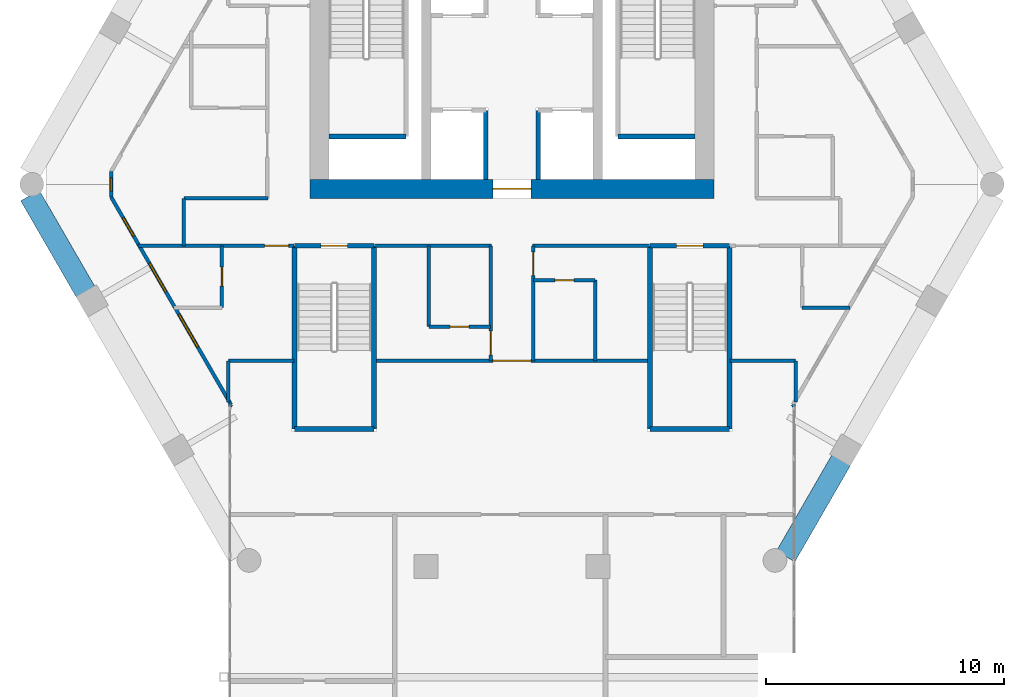
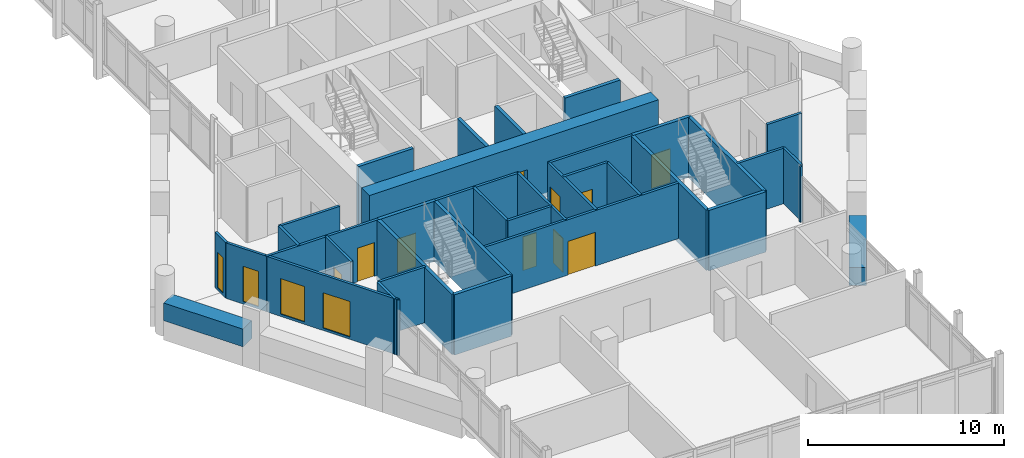
# One storey, part 25 of 29: 37 walls, 10 doors, 4 windows, 14 openings.
"""IFC4 building model written with IfcOpenShell, lengths in metres."""

from ifc_helpers import new_model, si_unit, direction, frame, frame_2d, origin, place, context, subcontext, project, spatial, rectangle, extrude, material, layer, layer_set, type_object, element, fill, save


model = new_model("IFC4")

# Units and contexts
model_context = context("Model", 3, precision=1e-05, world=origin(), true_north=direction((0.0, 1.0)))
body_context = subcontext(model_context, "Body", "Model", "MODEL_VIEW")
ifc_project = project(units=[si_unit("LENGTHUNIT", "METRE"), si_unit("AREAUNIT", "SQUARE_METRE"), si_unit("VOLUMEUNIT", "CUBIC_METRE"), si_unit("PLANEANGLEUNIT", "RADIAN"), si_unit("MASSUNIT", "GRAM", prefix="KILO")], contexts=[model_context])

# Site, building, storey
site_placement = place(None, origin())
site = spatial("IfcSite", under=ifc_project, at=site_placement, CompositionType="ELEMENT")
building_placement = place(site_placement, origin())
building = spatial("IfcBuilding", under=site, at=building_placement, Name="Ostrander Bayou Hotel Tower", CompositionType="ELEMENT")
storey_placement = place(building_placement, frame((0.0, 0.0, 205.75)))
storey = spatial("IfcBuildingStorey", under=building, at=storey_placement, Name="L51", CompositionType="ELEMENT", Elevation=205.75)

# Wall, opening, door
ifc_material_1 = material(Name="Concrete f'c 60 MPa", Category="concrete")
ifc_layer_1 = layer(ifc_material_1, 0.800048828125)
ifc_layer_set_1 = layer_set([ifc_layer_1], Name="CW7 core wall 800 mm f'c 60 MPa")
wall_type_1 = type_object("IfcWallType", Name="CW7 core wall 800 mm f'c 60 MPa", PredefinedType="SHEAR", material=ifc_layer_set_1)
wall_1_placement = place(storey_placement, frame((-8.5, -1.300048828125, -0.300048828125), z_axis=(0.0, 0.0, 1.0), x_axis=(1.0, 0.0, 0.0)))
wall_1 = element("IfcWall", 1, at=wall_1_placement, inside=storey, type_object=wall_type_1, Name="CW7 L51 S", PredefinedType="SHEAR", context=body_context, shape_type="SweptSolid", body=[
    extrude(rectangle(XDim=17.0, YDim=0.800048828125, at=frame_2d((8.5, 0.0))), origin(), (0.0, 0.0, 1.0), 3.75),
])
opening_1_placement = place(wall_1_placement, frame((7.699951171875, 0.0, 0.0)))
opening_1 = element("IfcOpeningElement", 2, at=opening_1_placement, cuts=wall_1, Name="Opening T50-005", PredefinedType="OPENING", context=body_context, shape_type="SweptSolid", body=[
    extrude(rectangle(XDim=1.60009765625, YDim=2.10009765625, at=frame_2d((0.800048828125, 1.050048828125))), frame((0.0, 0.39990234375, 0.0), z_axis=(0.0, -1.0, 0.0), x_axis=(1.0, 0.0, 0.0)), (0.0, 0.0, 1.0), 0.800048828125),
])
ifc_material_2 = material(Name="Timber door leaf", Category="wood")
door_type_1 = type_object("IfcDoorType", Name="D13 double door 1600 x 2100 mm, 1 hour", OperationType="SINGLE_SWING_LEFT", PredefinedType="DOOR", material=ifc_material_2)
door_1_placement = place(opening_1_placement, origin())
door_1 = element("IfcDoor", 3, at=door_1_placement, inside=storey, type_object=door_type_1, Name="dr:L51:005", OperationType="DOUBLE_DOOR_SINGLE_SWING", OverallHeight=2.10009765625, OverallWidth=1.60009765625, PredefinedType="DOOR", context=body_context, shape_type="SweptSolid", body=[
    extrude(rectangle(XDim=1.60009765625, YDim=2.10009765625, at=frame_2d((0.800048828125, 1.050048828125))), frame((0.0, 0.02490234375, 0.0), z_axis=(0.0, -1.0, 0.0), x_axis=(1.0, 0.0, 0.0)), (0.0, 0.0, 1.0), 0.050048828125),
])
fill(opening_1, door_1)

# Wall, openings, windows
ifc_material_3 = material(Name="Aluminium framed insulated wall", Category="aluminium")
ifc_layer_2 = layer(ifc_material_3, 0.14990234375)
ifc_layer_set_2 = layer_set([ifc_layer_2], Name="GW1 glass-line wall 150 mm")
wall_type_2 = type_object("IfcWallType", Name="GW1 glass-line wall 150 mm", PredefinedType="SOLIDWALL", material=ifc_layer_set_2)
wall_2_placement = place(storey_placement, frame((-16.861328125, -1.645263671875, 0.0), z_axis=(0.0, 0.0, 1.0), x_axis=(0.499993749393, -0.866029012544, 0.0)))
wall_2 = element("IfcWall", 4, at=wall_2_placement, inside=storey, type_object=wall_type_2, Name="GW1 L51 SW 1", PredefinedType="SOLIDWALL", context=body_context, shape_type="SweptSolid", body=[
    extrude(rectangle(XDim=10.074951171875, YDim=0.14990234375, at=frame_2d((5.03759765625, 0.0))), origin(), (0.0, 0.0, 1.0), 3.449951171875),
])
opening_2_placement = place(wall_2_placement, frame((1.005859375, 0.0, 0.14990234375)))
opening_2 = element("IfcOpeningElement", 5, at=opening_2_placement, cuts=wall_2, Name="Opening W17", PredefinedType="OPENING", context=body_context, shape_type="SweptSolid", body=[
    extrude(rectangle(XDim=0.89990234375, YDim=2.199951171875, at=frame_2d((0.449951171875, 1.10009765625))), frame((0.0, 0.074951171875, 0.0), z_axis=(0.0, -1.0, 0.0), x_axis=(1.0, 0.0, 0.0)), (0.0, 0.0, 1.0), 0.14990234375),
])
opening_3_placement = place(wall_2_placement, frame((3.205810546875, 0.0, 0.14990234375)))
opening_3 = element("IfcOpeningElement", 6, at=opening_3_placement, cuts=wall_2, Name="Opening W13", PredefinedType="OPENING", context=body_context, shape_type="SweptSolid", body=[
    extrude(rectangle(XDim=1.39990234375, YDim=2.199951171875, at=frame_2d((0.699951171875, 1.10009765625))), frame((0.0, 0.074951171875, 0.0), z_axis=(0.0, -1.0, 0.0), x_axis=(1.0, 0.0, 0.0)), (0.0, 0.0, 1.0), 0.14990234375),
])
opening_4_placement = place(wall_2_placement, frame((5.69873046875, 0.0, 0.14990234375)))
opening_4 = element("IfcOpeningElement", 7, at=opening_4_placement, cuts=wall_2, Name="Opening W9", PredefinedType="OPENING", context=body_context, shape_type="SweptSolid", body=[
    extrude(rectangle(XDim=1.60009765625, YDim=2.199951171875, at=frame_2d((0.800048828125, 1.10009765625))), frame((0.0, 0.074951171875, 0.0), z_axis=(0.0, -1.0, 0.0), x_axis=(1.0, 0.0, 0.0)), (0.0, 0.0, 1.0), 0.14990234375),
])
ifc_material_4 = material(Name="Aluminium and clear glass", Category="aluminium")
window_type_1 = type_object("IfcWindowType", Name="W13 fixed window 1400 mm, bath bay, zone 3", PartitioningType="SINGLE_PANEL", PredefinedType="WINDOW", material=ifc_material_4)
window_1_placement = place(opening_3_placement, origin())
window_1 = element("IfcWindow", 8, at=window_1_placement, inside=storey, type_object=window_type_1, Name="W13 L51 SW 1", OverallHeight=2.199951171875, OverallWidth=1.39990234375, PartitioningType="SINGLE_PANEL", PredefinedType="WINDOW", context=body_context, shape_type="SweptSolid", body=[
    extrude(rectangle(XDim=1.39990234375, YDim=2.199951171875, at=frame_2d((0.699951171875, 1.10009765625))), frame((0.0, 0.030029296875, 0.0), z_axis=(0.0, -1.0, 0.0), x_axis=(1.0, 0.0, 0.0)), (0.0, 0.0, 1.0), 0.06005859375),
])
fill(opening_3, window_1)
ifc_material_5 = material(Name="Aluminium and clear glass", Category="aluminium")
window_type_2 = type_object("IfcWindowType", Name="W17 window 900 mm, zone 3", PartitioningType="SINGLE_PANEL", PredefinedType="WINDOW", material=ifc_material_5)
window_2_placement = place(opening_2_placement, origin())
window_2 = element("IfcWindow", 9, at=window_2_placement, inside=storey, type_object=window_type_2, Name="W17 L51 SW 1", OverallHeight=2.199951171875, OverallWidth=0.89990234375, PartitioningType="SINGLE_PANEL", PredefinedType="WINDOW", context=body_context, shape_type="SweptSolid", body=[
    extrude(rectangle(XDim=0.89990234375, YDim=2.199951171875, at=frame_2d((0.449951171875, 1.10009765625))), frame((0.0, 0.030029296875, 0.0), z_axis=(0.0, -1.0, 0.0), x_axis=(1.0, 0.0, 0.0)), (0.0, 0.0, 1.0), 0.06005859375),
])
fill(opening_2, window_2)
ifc_material_6 = material(Name="Aluminium and clear glass", Category="aluminium")
window_type_3 = type_object("IfcWindowType", Name="W9 fixed window 1600 mm, bar storeys, zone 3", PartitioningType="SINGLE_PANEL", PredefinedType="WINDOW", material=ifc_material_6)
window_3_placement = place(opening_4_placement, origin())
window_3 = element("IfcWindow", 10, at=window_3_placement, inside=storey, type_object=window_type_3, Name="W9 L51 SW 2", OverallHeight=2.199951171875, OverallWidth=1.60009765625, PartitioningType="SINGLE_PANEL", PredefinedType="WINDOW", context=body_context, shape_type="SweptSolid", body=[
    extrude(rectangle(XDim=1.60009765625, YDim=2.199951171875, at=frame_2d((0.800048828125, 1.10009765625))), frame((0.0, 0.030029296875, 0.0), z_axis=(0.0, -1.0, 0.0), x_axis=(1.0, 0.0, 0.0)), (0.0, 0.0, 1.0), 0.06005859375),
])
fill(opening_4, window_3)

# Wall, opening, window
wall_3_placement = place(storey_placement, frame((-16.861328125, -0.580322265625, 0.0), z_axis=(0.0, 0.0, 1.0), x_axis=(0.0, -1.0, 0.0)))
wall_3 = element("IfcWall", 11, at=wall_3_placement, inside=storey, type_object=wall_type_2, Name="GW1 L51 corner 2", PredefinedType="SOLIDWALL", context=body_context, shape_type="SweptSolid", body=[
    extrude(rectangle(XDim=1.06494140625, YDim=0.14990234375, at=frame_2d((0.532470703125, 0.0))), origin(), (0.0, 0.0, 1.0), 3.449951171875),
])
opening_5_placement = place(wall_3_placement, frame((0.257568359375, 0.0, 0.14990234375)))
opening_5 = element("IfcOpeningElement", 12, at=opening_5_placement, cuts=wall_3, Name="Opening W19", PredefinedType="OPENING", context=body_context, shape_type="SweptSolid", body=[
    extrude(rectangle(XDim=0.550048828125, YDim=2.199951171875, at=frame_2d((0.27490234375, 1.10009765625))), frame((0.0, 0.074951171875, 0.0), z_axis=(0.0, -1.0, 0.0), x_axis=(1.0, 0.0, 0.0)), (0.0, 0.0, 1.0), 0.14990234375),
])
ifc_material_7 = material(Name="Aluminium and clear glass", Category="aluminium")
window_type_4 = type_object("IfcWindowType", Name="W19 corner window 550 mm", PartitioningType="SINGLE_PANEL", PredefinedType="WINDOW", material=ifc_material_7)
window_4_placement = place(opening_5_placement, origin())
window_4 = element("IfcWindow", 13, at=window_4_placement, inside=storey, type_object=window_type_4, Name="W19 L51 corner 2", OverallHeight=2.199951171875, OverallWidth=0.550048828125, PartitioningType="SINGLE_PANEL", PredefinedType="WINDOW", context=body_context, shape_type="SweptSolid", body=[
    extrude(rectangle(XDim=0.550048828125, YDim=2.199951171875, at=frame_2d((0.27490234375, 1.10009765625))), frame((0.0, 0.030029296875, 0.0), z_axis=(0.0, -1.0, 0.0), x_axis=(1.0, 0.0, 0.0)), (0.0, 0.0, 1.0), 0.06005859375),
])
fill(opening_5, window_4)

# Walls
for number, where, z_axis, x_axis, name in (
    (14, (-11.823974609375, -10.370361328125, 0.0), (0.0, 0.0, 1.0), (-0.338543167143, -0.940950861619, 0.0), "GW1 L51 bar joint 2"),
    (15, (11.823974609375, -10.370361328125, 0.0), (0.0, 0.0, 1.0), (0.338543167143, -0.940950861619, 0.0), "GW1 L51 bar joint 3"),
):
    element("IfcWall", number, at=place(storey_placement, frame(where, z_axis=z_axis, x_axis=x_axis)), inside=storey, type_object=wall_type_2, Name=name, PredefinedType="SOLIDWALL", context=body_context, shape_type="SweptSolid", body=[
        extrude(rectangle(XDim=0.09814453125, YDim=0.14990234375, at=frame_2d((0.049072265625, 0.0))), origin(), (0.0, 0.0, 1.0), 3.449951171875),
    ])
ifc_material_8 = material(Name="Limestone masonry", Category="masonry")
ifc_layer_3 = layer(ifc_material_8, 0.89990234375)
ifc_layer_set_3 = layer_set([ifc_layer_3], Name="PA2 limestone parapet 900 mm")
wall_type_3 = type_object("IfcWallType", Name="PA2 limestone parapet 900 mm", PredefinedType="PARAPET", material=ifc_layer_set_3)
for number, where, z_axis, x_axis, name in (
    (16, (-20.275146484375, -1.58251953125, 0.0), (0.0, 0.0, 1.0), (0.500028081597, -0.86600919026, 0.0), "PA2 L51 SW-1"),
    (17, (11.508056640625, -16.767578125, 0.0), (0.0, 0.0, 1.0), (0.499966354109, 0.866044828377, 0.0), "PA2 L51 SE-1"),
):
    element("IfcWall", number, at=place(storey_placement, frame(where, z_axis=z_axis, x_axis=x_axis)), inside=storey, type_object=wall_type_3, Name=name, PredefinedType="PARAPET", context=body_context, shape_type="SweptSolid", body=[
        extrude(rectangle(XDim=4.678955078125, YDim=0.89990234375, at=frame_2d((2.33935546875, 0.0))), origin(), (0.0, 0.0, 1.0), 1.10009765625),
    ])
ifc_material_9 = material(Name="Masonry block", Category="masonry")
ifc_layer_4 = layer(ifc_material_9, 0.199951171875)
ifc_layer_set_4 = layer_set([ifc_layer_4], Name="PT6 lift shaft wall 200 mm masonry, 2 hour")
wall_type_4 = type_object("IfcWallType", Name="PT6 lift shaft wall 200 mm masonry, 2 hour", PredefinedType="PARTITIONING", material=ifc_layer_set_4)
for number, where, z_axis, x_axis, name in (
    (18, (-1.10009765625, -0.89990234375, 0.0), (0.0, 0.0, 1.0), (0.0, 1.0, 0.0), "cs:L51:005"),
    (19, (1.10009765625, -0.89990234375, 0.0), (0.0, 0.0, 1.0), (0.0, 1.0, 0.0), "cs:L51:006"),
):
    element("IfcWall", number, at=place(storey_placement, frame(where, z_axis=z_axis, x_axis=x_axis)), inside=storey, type_object=wall_type_4, Name=name, PredefinedType="PARTITIONING", context=body_context, shape_type="SweptSolid", body=[
        extrude(rectangle(XDim=2.89990234375, YDim=0.199951171875, at=frame_2d((1.449951171875, 0.0))), origin(), (0.0, 0.0, 1.0), 3.449951171875),
    ])
ifc_material_10 = material(Name="Gypsum board partition", Category="finish")
ifc_layer_5 = layer(ifc_material_10, 0.14990234375)
ifc_layer_set_5 = layer_set([ifc_layer_5], Name="PT8 service band wall 150 mm, 1 hour")
wall_type_5 = type_object("IfcWallType", Name="PT8 service band wall 150 mm, 1 hour", PredefinedType="PARTITIONING", material=ifc_layer_set_5)
wall_4_placement = place(storey_placement, frame((-11.929931640625, -8.534912109375, 0.0), z_axis=(0.0, 0.0, 1.0), x_axis=(1.0, 0.0, 0.0)))
element("IfcWall", 20, at=wall_4_placement, inside=storey, type_object=wall_type_5, Name="gw:L51:001", PredefinedType="PARTITIONING", context=body_context, shape_type="SweptSolid", body=[
    extrude(rectangle(XDim=2.77001953125, YDim=0.14990234375, at=frame_2d((1.385009765625, 0.0))), origin(), (0.0, 0.0, 1.0), 3.449951171875),
])

# Wall, opening, door
wall_5_placement = place(storey_placement, frame((-5.7900390625, -8.534912109375, 0.0), z_axis=(0.0, 0.0, 1.0), x_axis=(1.0, 0.0, 0.0)))
wall_5 = element("IfcWall", 21, at=wall_5_placement, inside=storey, type_object=wall_type_5, Name="gw:L51:002", PredefinedType="PARTITIONING", context=body_context, shape_type="SweptSolid", body=[
    extrude(rectangle(XDim=11.580078125, YDim=0.14990234375, at=frame_2d((5.7900390625, 0.0))), origin(), (0.0, 0.0, 1.0), 3.449951171875),
])
opening_6_placement = place(wall_5_placement, frame((4.989990234375, 0.0, 0.0)))
opening_6 = element("IfcOpeningElement", 22, at=opening_6_placement, cuts=wall_5, Name="Opening T50-1211", PredefinedType="OPENING", context=body_context, shape_type="SweptSolid", body=[
    extrude(rectangle(XDim=1.60009765625, YDim=2.10009765625, at=frame_2d((0.800048828125, 1.050048828125))), frame((0.0, 0.074951171875, 0.0), z_axis=(0.0, -1.0, 0.0), x_axis=(1.0, 0.0, 0.0)), (0.0, 0.0, 1.0), 0.14990234375),
])
door_2_placement = place(opening_6_placement, origin())
door_2 = element("IfcDoor", 23, at=door_2_placement, inside=storey, type_object=door_type_1, Name="dr:L51:1211", OperationType="DOUBLE_DOOR_SINGLE_SWING", OverallHeight=2.10009765625, OverallWidth=1.60009765625, PredefinedType="DOOR", context=body_context, shape_type="SweptSolid", body=[
    extrude(rectangle(XDim=1.60009765625, YDim=2.10009765625, at=frame_2d((0.800048828125, 1.050048828125))), frame((0.0, 0.02490234375, 0.0), z_axis=(0.0, -1.0, 0.0), x_axis=(1.0, 0.0, 0.0)), (0.0, 0.0, 1.0), 0.050048828125),
])
fill(opening_6, door_2)

# Wall
wall_6_placement = place(storey_placement, frame((9.159912109375, -8.534912109375, 0.0), z_axis=(0.0, 0.0, 1.0), x_axis=(1.0, 0.0, 0.0)))
element("IfcWall", 24, at=wall_6_placement, inside=storey, type_object=wall_type_5, Name="gw:L51:003", PredefinedType="PARTITIONING", context=body_context, shape_type="SweptSolid", body=[
    extrude(rectangle(XDim=2.77001953125, YDim=0.14990234375, at=frame_2d((1.385009765625, 0.0))), origin(), (0.0, 0.0, 1.0), 3.449951171875),
])

# Wall, opening, door
wall_7_placement = place(storey_placement, frame((-3.5, -7.10009765625, 0.0), z_axis=(0.0, 0.0, 1.0), x_axis=(1.0, 0.0, 0.0)))
wall_7 = element("IfcWall", 25, at=wall_7_placement, inside=storey, type_object=wall_type_5, Name="gw:L51:004", PredefinedType="PARTITIONING", context=body_context, shape_type="SweptSolid", body=[
    extrude(rectangle(XDim=2.60009765625, YDim=0.14990234375, at=frame_2d((1.300048828125, 0.0))), origin(), (0.0, 0.0, 1.0), 3.449951171875),
])
opening_7_placement = place(wall_7_placement, frame((0.89990234375, 0.0, 0.0)))
opening_7 = element("IfcOpeningElement", 26, at=opening_7_placement, cuts=wall_7, Name="Opening T50-403", PredefinedType="OPENING", context=body_context, shape_type="SweptSolid", body=[
    extrude(rectangle(XDim=0.800048828125, YDim=2.10009765625, at=frame_2d((0.39990234375, 1.050048828125))), frame((0.0, 0.074951171875, 0.0), z_axis=(0.0, -1.0, 0.0), x_axis=(1.0, 0.0, 0.0)), (0.0, 0.0, 1.0), 0.14990234375),
])
ifc_material_11 = material(Name="Timber door leaf", Category="wood")
door_type_2 = type_object("IfcDoorType", Name="D2 bathroom door 800 x 2100 mm", OperationType="SINGLE_SWING_LEFT", PredefinedType="DOOR", material=ifc_material_11)
door_3_placement = place(opening_7_placement, origin())
door_3 = element("IfcDoor", 27, at=door_3_placement, inside=storey, type_object=door_type_2, Name="dr:L51:403", OperationType="SINGLE_SWING_RIGHT", OverallHeight=2.10009765625, OverallWidth=0.800048828125, PredefinedType="DOOR", context=body_context, shape_type="SweptSolid", body=[
    extrude(rectangle(XDim=0.800048828125, YDim=2.10009765625, at=frame_2d((0.39990234375, 1.050048828125))), frame((0.0, 0.02490234375, 0.0), z_axis=(0.0, -1.0, 0.0), x_axis=(1.0, 0.0, 0.0)), (0.0, 0.0, 1.0), 0.050048828125),
])
fill(opening_7, door_3)

# Wall
wall_8_placement = place(storey_placement, frame((12.199951171875, -6.300048828125, 0.0), z_axis=(0.0, 0.0, 1.0), x_axis=(1.0, 0.0, 0.0)))
element("IfcWall", 28, at=wall_8_placement, inside=storey, type_object=wall_type_5, Name="gw:L51:006", PredefinedType="PARTITIONING", context=body_context, shape_type="SweptSolid", body=[
    extrude(rectangle(XDim=2.026123046875, YDim=0.14990234375, at=frame_2d((1.01318359375, 0.0))), origin(), (0.0, 0.0, 1.0), 3.449951171875),
])

# Wall, opening, door
wall_9_placement = place(storey_placement, frame((0.89990234375, -5.14501953125, 0.0), z_axis=(0.0, 0.0, 1.0), x_axis=(1.0, 0.0, 0.0)))
wall_9 = element("IfcWall", 29, at=wall_9_placement, inside=storey, type_object=wall_type_5, Name="gw:L51:007", PredefinedType="PARTITIONING", context=body_context, shape_type="SweptSolid", body=[
    extrude(rectangle(XDim=2.60009765625, YDim=0.14990234375, at=frame_2d((1.300048828125, 0.0))), origin(), (0.0, 0.0, 1.0), 3.449951171875),
])
opening_8_placement = place(wall_9_placement, frame((0.89990234375, 0.0, 0.0)))
opening_8 = element("IfcOpeningElement", 30, at=opening_8_placement, cuts=wall_9, Name="Opening T50-405", PredefinedType="OPENING", context=body_context, shape_type="SweptSolid", body=[
    extrude(rectangle(XDim=0.800048828125, YDim=2.10009765625, at=frame_2d((0.39990234375, 1.050048828125))), frame((0.0, 0.074951171875, 0.0), z_axis=(0.0, -1.0, 0.0), x_axis=(1.0, 0.0, 0.0)), (0.0, 0.0, 1.0), 0.14990234375),
])
door_4_placement = place(opening_8_placement, origin())
door_4 = element("IfcDoor", 31, at=door_4_placement, inside=storey, type_object=door_type_2, Name="dr:L51:405", OperationType="SINGLE_SWING_LEFT", OverallHeight=2.10009765625, OverallWidth=0.800048828125, PredefinedType="DOOR", context=body_context, shape_type="SweptSolid", body=[
    extrude(rectangle(XDim=0.800048828125, YDim=2.10009765625, at=frame_2d((0.39990234375, 1.050048828125))), frame((0.0, 0.02490234375, 0.0), z_axis=(0.0, -1.0, 0.0), x_axis=(1.0, 0.0, 0.0)), (0.0, 0.0, 1.0), 0.050048828125),
])
fill(opening_8, door_4)

wall_10_placement = place(storey_placement, frame((-15.72705078125, -3.699951171875, 0.0), z_axis=(0.0, 0.0, 1.0), x_axis=(1.0, 0.0, 0.0)))
wall_10 = element("IfcWall", 32, at=wall_10_placement, inside=storey, type_object=wall_type_5, Name="gw:L51:008", PredefinedType="PARTITIONING", context=body_context, shape_type="SweptSolid", body=[
    extrude(rectangle(XDim=6.567138671875, YDim=0.14990234375, at=frame_2d((3.28369140625, 0.0))), origin(), (0.0, 0.0, 1.0), 3.449951171875),
])
opening_9_placement = place(wall_10_placement, frame((5.326904296875, 0.0, 0.0)))
opening_9 = element("IfcOpeningElement", 33, at=opening_9_placement, cuts=wall_10, Name="Opening T50-400", PredefinedType="OPENING", context=body_context, shape_type="SweptSolid", body=[
    extrude(rectangle(XDim=1.0, YDim=2.10009765625, at=frame_2d((0.5, 1.050048828125))), frame((0.0, 0.074951171875, 0.0), z_axis=(0.0, -1.0, 0.0), x_axis=(1.0, 0.0, 0.0)), (0.0, 0.0, 1.0), 0.14990234375),
])
ifc_material_12 = material(Name="Timber door leaf", Category="wood")
door_type_3 = type_object("IfcDoorType", Name="D1 guest room door 1000 x 2100 mm, 30 minute", OperationType="SINGLE_SWING_LEFT", PredefinedType="DOOR", material=ifc_material_12)
door_5_placement = place(opening_9_placement, origin())
door_5 = element("IfcDoor", 34, at=door_5_placement, inside=storey, type_object=door_type_3, Name="dr:L51:400", OperationType="SINGLE_SWING_RIGHT", OverallHeight=2.10009765625, OverallWidth=1.0, PredefinedType="DOOR", context=body_context, shape_type="SweptSolid", body=[
    extrude(rectangle(XDim=1.0, YDim=2.10009765625, at=frame_2d((0.5, 1.050048828125))), frame((0.0, 0.02490234375, 0.0), z_axis=(0.0, -1.0, 0.0), x_axis=(1.0, 0.0, 0.0)), (0.0, 0.0, 1.0), 0.050048828125),
])
fill(opening_9, door_5)

# Walls
for number, where, z_axis, x_axis, name in (
    (35, (-5.7900390625, -3.699951171875, 0.0), (0.0, 0.0, 1.0), (1.0, 0.0, 0.0), "gw:L51:009"),
    (36, (0.860107421875, -3.699951171875, 0.0), (0.0, 0.0, 1.0), (1.0, 0.0, 0.0), "gw:L51:010"),
):
    element("IfcWall", number, at=place(storey_placement, frame(where, z_axis=z_axis, x_axis=x_axis)), inside=storey, type_object=wall_type_5, Name=name, PredefinedType="PARTITIONING", context=body_context, shape_type="SweptSolid", body=[
        extrude(rectangle(XDim=4.929931640625, YDim=0.14990234375, at=frame_2d((2.46484375, 0.0))), origin(), (0.0, 0.0, 1.0), 3.449951171875),
    ])
wall_11_placement = place(storey_placement, frame((-13.800048828125, -1.699951171875, 0.0), z_axis=(0.0, 0.0, 1.0), x_axis=(1.0, 0.0, 0.0)))
element("IfcWall", 37, at=wall_11_placement, inside=storey, type_object=wall_type_5, Name="gw:L51:012", PredefinedType="PARTITIONING", context=body_context, shape_type="SweptSolid", body=[
    extrude(rectangle(XDim=3.5400390625, YDim=0.14990234375, at=frame_2d((1.77001953125, 0.0))), origin(), (0.0, 0.0, 1.0), 3.449951171875),
])
wall_12_placement = place(storey_placement, frame((11.929931640625, -10.277099609375, 0.0), z_axis=(0.0, 0.0, 1.0), x_axis=(0.0, 1.0, 0.0)))
element("IfcWall", 38, at=wall_12_placement, inside=storey, type_object=wall_type_5, Name="gw:L51:023", PredefinedType="PARTITIONING", context=body_context, shape_type="SweptSolid", body=[
    extrude(rectangle(XDim=1.7421875, YDim=0.14990234375, at=frame_2d((0.87109375, 0.0))), origin(), (0.0, 0.0, 1.0), 3.449951171875),
])
wall_13_placement = place(storey_placement, frame((3.5, -8.534912109375, 0.0), z_axis=(0.0, 0.0, 1.0), x_axis=(0.0, 1.0, 0.0)))
element("IfcWall", 39, at=wall_13_placement, inside=storey, type_object=wall_type_5, Name="gw:L51:026", PredefinedType="PARTITIONING", context=body_context, shape_type="SweptSolid", body=[
    extrude(rectangle(XDim=3.389892578125, YDim=0.14990234375, at=frame_2d((1.69482421875, 0.0))), origin(), (0.0, 0.0, 1.0), 3.449951171875),
])

# Wall, opening, door
wall_14_placement = place(storey_placement, frame((0.89990234375, -8.534912109375, 0.0), z_axis=(0.0, 0.0, 1.0), x_axis=(0.0, 1.0, 0.0)))
wall_14 = element("IfcWall", 40, at=wall_14_placement, inside=storey, type_object=wall_type_5, Name="gw:L51:027", PredefinedType="PARTITIONING", context=body_context, shape_type="SweptSolid", body=[
    extrude(rectangle(XDim=4.8349609375, YDim=0.14990234375, at=frame_2d((2.41748046875, 0.0))), origin(), (0.0, 0.0, 1.0), 3.449951171875),
])
opening_10_placement = place(wall_14_placement, frame((3.5849609375, 0.0, 0.0)))
opening_10 = element("IfcOpeningElement", 41, at=opening_10_placement, cuts=wall_14, Name="Opening T50-404", PredefinedType="OPENING", context=body_context, shape_type="SweptSolid", body=[
    extrude(rectangle(XDim=1.0, YDim=2.10009765625, at=frame_2d((0.5, 1.050048828125))), frame((0.0, 0.074951171875, 0.0), z_axis=(0.0, -1.0, 0.0), x_axis=(1.0, 0.0, 0.0)), (0.0, 0.0, 1.0), 0.14990234375),
])
door_6_placement = place(opening_10_placement, origin())
door_6 = element("IfcDoor", 42, at=door_6_placement, inside=storey, type_object=door_type_3, Name="dr:L51:404", OperationType="SINGLE_SWING_RIGHT", OverallHeight=2.10009765625, OverallWidth=1.0, PredefinedType="DOOR", context=body_context, shape_type="SweptSolid", body=[
    extrude(rectangle(XDim=1.0, YDim=2.10009765625, at=frame_2d((0.5, 1.050048828125))), frame((0.0, 0.02490234375, 0.0), z_axis=(0.0, -1.0, 0.0), x_axis=(1.0, 0.0, 0.0)), (0.0, 0.0, 1.0), 0.050048828125),
])
fill(opening_10, door_6)

wall_15_placement = place(storey_placement, frame((-0.89990234375, -8.534912109375, 0.0), z_axis=(0.0, 0.0, 1.0), x_axis=(0.0, 1.0, 0.0)))
wall_15 = element("IfcWall", 43, at=wall_15_placement, inside=storey, type_object=wall_type_5, Name="gw:L51:028", PredefinedType="PARTITIONING", context=body_context, shape_type="SweptSolid", body=[
    extrude(rectangle(XDim=4.8349609375, YDim=0.14990234375, at=frame_2d((2.41748046875, 0.0))), origin(), (0.0, 0.0, 1.0), 3.449951171875),
])
opening_11_placement = place(wall_15_placement, frame((0.25, 0.0, 0.0)))
opening_11 = element("IfcOpeningElement", 44, at=opening_11_placement, cuts=wall_15, Name="Opening T50-402", PredefinedType="OPENING", context=body_context, shape_type="SweptSolid", body=[
    extrude(rectangle(XDim=1.0, YDim=2.10009765625, at=frame_2d((0.5, 1.050048828125))), frame((0.0, 0.074951171875, 0.0), z_axis=(0.0, -1.0, 0.0), x_axis=(1.0, 0.0, 0.0)), (0.0, 0.0, 1.0), 0.14990234375),
])
door_7_placement = place(opening_11_placement, origin())
door_7 = element("IfcDoor", 45, at=door_7_placement, inside=storey, type_object=door_type_3, Name="dr:L51:402", OperationType="SINGLE_SWING_LEFT", OverallHeight=2.10009765625, OverallWidth=1.0, PredefinedType="DOOR", context=body_context, shape_type="SweptSolid", body=[
    extrude(rectangle(XDim=1.0, YDim=2.10009765625, at=frame_2d((0.5, 1.050048828125))), frame((0.0, 0.02490234375, 0.0), z_axis=(0.0, -1.0, 0.0), x_axis=(1.0, 0.0, 0.0)), (0.0, 0.0, 1.0), 0.050048828125),
])
fill(opening_11, door_7)

# Walls
wall_16_placement = place(storey_placement, frame((-3.5, -7.10009765625, 0.0), z_axis=(0.0, 0.0, 1.0), x_axis=(0.0, 1.0, 0.0)))
element("IfcWall", 46, at=wall_16_placement, inside=storey, type_object=wall_type_5, Name="gw:L51:029", PredefinedType="PARTITIONING", context=body_context, shape_type="SweptSolid", body=[
    extrude(rectangle(XDim=3.400146484375, YDim=0.14990234375, at=frame_2d((1.7001953125, 0.0))), origin(), (0.0, 0.0, 1.0), 3.449951171875),
])
wall_17_placement = place(storey_placement, frame((-11.929931640625, -10.277099609375, 0.0), z_axis=(0.0, 0.0, 1.0), x_axis=(0.0, 1.0, 0.0)))
element("IfcWall", 47, at=wall_17_placement, inside=storey, type_object=wall_type_5, Name="gw:L51:031", PredefinedType="PARTITIONING", context=body_context, shape_type="SweptSolid", body=[
    extrude(rectangle(XDim=1.7421875, YDim=0.14990234375, at=frame_2d((0.87109375, 0.0))), origin(), (0.0, 0.0, 1.0), 3.449951171875),
])

# Wall, opening, door
wall_18_placement = place(storey_placement, frame((-12.199951171875, -6.300048828125, 0.0), z_axis=(0.0, 0.0, 1.0), x_axis=(0.0, 1.0, 0.0)))
wall_18 = element("IfcWall", 48, at=wall_18_placement, inside=storey, type_object=wall_type_5, Name="gw:L51:033", PredefinedType="PARTITIONING", context=body_context, shape_type="SweptSolid", body=[
    extrude(rectangle(XDim=2.60009765625, YDim=0.14990234375, at=frame_2d((1.300048828125, 0.0))), origin(), (0.0, 0.0, 1.0), 3.449951171875),
])
opening_12_placement = place(wall_18_placement, frame((0.89990234375, 0.0, 0.0)))
opening_12 = element("IfcOpeningElement", 49, at=opening_12_placement, cuts=wall_18, Name="Opening T50-401", PredefinedType="OPENING", context=body_context, shape_type="SweptSolid", body=[
    extrude(rectangle(XDim=0.800048828125, YDim=2.10009765625, at=frame_2d((0.39990234375, 1.050048828125))), frame((0.0, 0.074951171875, 0.0), z_axis=(0.0, -1.0, 0.0), x_axis=(1.0, 0.0, 0.0)), (0.0, 0.0, 1.0), 0.14990234375),
])
door_8_placement = place(opening_12_placement, origin())
door_8 = element("IfcDoor", 50, at=door_8_placement, inside=storey, type_object=door_type_2, Name="dr:L51:401", OperationType="SINGLE_SWING_RIGHT", OverallHeight=2.10009765625, OverallWidth=0.800048828125, PredefinedType="DOOR", context=body_context, shape_type="SweptSolid", body=[
    extrude(rectangle(XDim=0.800048828125, YDim=2.10009765625, at=frame_2d((0.39990234375, 1.050048828125))), frame((0.0, 0.02490234375, 0.0), z_axis=(0.0, -1.0, 0.0), x_axis=(1.0, 0.0, 0.0)), (0.0, 0.0, 1.0), 0.050048828125),
])
fill(opening_12, door_8)

# Walls
wall_19_placement = place(storey_placement, frame((-13.800048828125, -3.699951171875, 0.0), z_axis=(0.0, 0.0, 1.0), x_axis=(0.0, 1.0, 0.0)))
element("IfcWall", 51, at=wall_19_placement, inside=storey, type_object=wall_type_5, Name="gw:L51:035", PredefinedType="PARTITIONING", context=body_context, shape_type="SweptSolid", body=[
    extrude(rectangle(XDim=2.0, YDim=0.14990234375, at=frame_2d((1.0, 0.0))), origin(), (0.0, 0.0, 1.0), 3.449951171875),
])
ifc_material_13 = material(Name="Concrete f'c 45 MPa", Category="concrete")
ifc_layer_6 = layer(ifc_material_13, 0.199951171875)
ifc_layer_set_6 = layer_set([ifc_layer_6], Name="SW5 stair enclosure wall 200 mm f'c 45 MPa")
wall_type_6 = type_object("IfcWallType", Name="SW5 stair enclosure wall 200 mm f'c 45 MPa", PredefinedType="SOLIDWALL", material=ifc_layer_set_6)
for number, where, z_axis, x_axis, name in (
    (52, (-7.699951171875, 0.89990234375, -0.300048828125), (0.0, 0.0, 1.0), (1.0, 0.0, 0.0), "cs:L51:010"),
    (53, (4.449951171875, 0.89990234375, -0.300048828125), (0.0, 0.0, 1.0), (1.0, 0.0, 0.0), "cs:L51:012"),
):
    element("IfcWall", number, at=place(storey_placement, frame(where, z_axis=z_axis, x_axis=x_axis)), inside=storey, type_object=wall_type_6, Name=name, PredefinedType="SOLIDWALL", context=body_context, shape_type="SweptSolid", body=[
        extrude(rectangle(XDim=3.25, YDim=0.199951171875, at=frame_2d((1.625, 0.0))), origin(), (0.0, 0.0, 1.0), 3.75),
    ])

# Wall, opening, door
wall_20_placement = place(storey_placement, frame((5.800048828125, -3.699951171875, -0.300048828125), z_axis=(0.0, 0.0, 1.0), x_axis=(1.0, 0.0, 0.0)))
wall_20 = element("IfcWall", 54, at=wall_20_placement, inside=storey, type_object=wall_type_6, Name="cs:L51:013", PredefinedType="SOLIDWALL", context=body_context, shape_type="SweptSolid", body=[
    extrude(rectangle(XDim=3.349853515625, YDim=0.199951171875, at=frame_2d((1.6748046875, 0.0))), origin(), (0.0, 0.0, 1.0), 3.75),
])
opening_13_placement = place(wall_20_placement, frame((1.125, 0.0, 0.0)))
opening_13 = element("IfcOpeningElement", 55, at=opening_13_placement, cuts=wall_20, Name="Opening T50-011", PredefinedType="OPENING", context=body_context, shape_type="SweptSolid", body=[
    extrude(rectangle(XDim=1.10009765625, YDim=2.10009765625, at=frame_2d((0.550048828125, 1.050048828125))), frame((0.0, 0.10009765625, 0.0), z_axis=(0.0, -1.0, 0.0), x_axis=(1.0, 0.0, 0.0)), (0.0, 0.0, 1.0), 0.199951171875),
])
ifc_material_14 = material(Name="Timber door leaf", Category="wood")
door_type_4 = type_object("IfcDoorType", Name="D5 stair door 1100 x 2100 mm, 90 minute", OperationType="SINGLE_SWING_LEFT", PredefinedType="DOOR", material=ifc_material_14)
door_9_placement = place(opening_13_placement, origin())
door_9 = element("IfcDoor", 56, at=door_9_placement, inside=storey, type_object=door_type_4, Name="dr:L51:011", OperationType="SINGLE_SWING_LEFT", OverallHeight=2.10009765625, OverallWidth=1.10009765625, PredefinedType="DOOR", context=body_context, shape_type="SweptSolid", body=[
    extrude(rectangle(XDim=1.10009765625, YDim=2.10009765625, at=frame_2d((0.550048828125, 1.050048828125))), frame((0.0, 0.02490234375, 0.0), z_axis=(0.0, -1.0, 0.0), x_axis=(1.0, 0.0, 0.0)), (0.0, 0.0, 1.0), 0.050048828125),
])
fill(opening_13, door_9)

# Walls
for number, where, z_axis, x_axis, name in (
    (57, (5.800048828125, -3.699951171875, -0.300048828125), (0.0, 0.0, 1.0), (0.0, -1.0, 0.0), "cs:L51:014"),
    (58, (9.14990234375, -3.699951171875, -0.300048828125), (0.0, 0.0, 1.0), (0.0, -1.0, 0.0), "cs:L51:015"),
):
    element("IfcWall", number, at=place(storey_placement, frame(where, z_axis=z_axis, x_axis=x_axis)), inside=storey, type_object=wall_type_6, Name=name, PredefinedType="SOLIDWALL", context=body_context, shape_type="SweptSolid", body=[
        extrude(rectangle(XDim=7.699951171875, YDim=0.199951171875, at=frame_2d((3.85009765625, 0.0))), origin(), (0.0, 0.0, 1.0), 3.75),
    ])
wall_21_placement = place(storey_placement, frame((5.800048828125, -11.39990234375, -0.300048828125), z_axis=(0.0, 0.0, 1.0), x_axis=(1.0, 0.0, 0.0)))
element("IfcWall", 59, at=wall_21_placement, inside=storey, type_object=wall_type_6, Name="cs:L51:016", PredefinedType="SOLIDWALL", context=body_context, shape_type="SweptSolid", body=[
    extrude(rectangle(XDim=3.349853515625, YDim=0.199951171875, at=frame_2d((1.6748046875, 0.0))), origin(), (0.0, 0.0, 1.0), 3.75),
])

# Wall, opening, door
wall_22_placement = place(storey_placement, frame((-9.14990234375, -3.699951171875, -0.300048828125), z_axis=(0.0, 0.0, 1.0), x_axis=(1.0, 0.0, 0.0)))
wall_22 = element("IfcWall", 60, at=wall_22_placement, inside=storey, type_object=wall_type_6, Name="cs:L51:017", PredefinedType="SOLIDWALL", context=body_context, shape_type="SweptSolid", body=[
    extrude(rectangle(XDim=3.349853515625, YDim=0.199951171875, at=frame_2d((1.6748046875, 0.0))), origin(), (0.0, 0.0, 1.0), 3.75),
])
opening_14_placement = place(wall_22_placement, frame((1.125, 0.0, 0.0)))
opening_14 = element("IfcOpeningElement", 61, at=opening_14_placement, cuts=wall_22, Name="Opening T50-012", PredefinedType="OPENING", context=body_context, shape_type="SweptSolid", body=[
    extrude(rectangle(XDim=1.10009765625, YDim=2.10009765625, at=frame_2d((0.550048828125, 1.050048828125))), frame((0.0, 0.10009765625, 0.0), z_axis=(0.0, -1.0, 0.0), x_axis=(1.0, 0.0, 0.0)), (0.0, 0.0, 1.0), 0.199951171875),
])
door_10_placement = place(opening_14_placement, origin())
door_10 = element("IfcDoor", 62, at=door_10_placement, inside=storey, type_object=door_type_4, Name="dr:L51:012", OperationType="SINGLE_SWING_LEFT", OverallHeight=2.10009765625, OverallWidth=1.10009765625, PredefinedType="DOOR", context=body_context, shape_type="SweptSolid", body=[
    extrude(rectangle(XDim=1.10009765625, YDim=2.10009765625, at=frame_2d((0.550048828125, 1.050048828125))), frame((0.0, 0.02490234375, 0.0), z_axis=(0.0, -1.0, 0.0), x_axis=(1.0, 0.0, 0.0)), (0.0, 0.0, 1.0), 0.050048828125),
])
fill(opening_14, door_10)

# Walls
for number, where, z_axis, x_axis, name in (
    (63, (-9.14990234375, -3.699951171875, -0.300048828125), (0.0, 0.0, 1.0), (0.0, -1.0, 0.0), "cs:L51:018"),
    (64, (-5.800048828125, -3.699951171875, -0.300048828125), (0.0, 0.0, 1.0), (0.0, -1.0, 0.0), "cs:L51:019"),
):
    element("IfcWall", number, at=place(storey_placement, frame(where, z_axis=z_axis, x_axis=x_axis)), inside=storey, type_object=wall_type_6, Name=name, PredefinedType="SOLIDWALL", context=body_context, shape_type="SweptSolid", body=[
        extrude(rectangle(XDim=7.699951171875, YDim=0.199951171875, at=frame_2d((3.85009765625, 0.0))), origin(), (0.0, 0.0, 1.0), 3.75),
    ])
wall_23_placement = place(storey_placement, frame((-9.14990234375, -11.39990234375, -0.300048828125), z_axis=(0.0, 0.0, 1.0), x_axis=(1.0, 0.0, 0.0)))
element("IfcWall", 65, at=wall_23_placement, inside=storey, type_object=wall_type_6, Name="cs:L51:020", PredefinedType="SOLIDWALL", context=body_context, shape_type="SweptSolid", body=[
    extrude(rectangle(XDim=3.349853515625, YDim=0.199951171875, at=frame_2d((1.6748046875, 0.0))), origin(), (0.0, 0.0, 1.0), 3.75),
])

save(model, "model.ifc")
